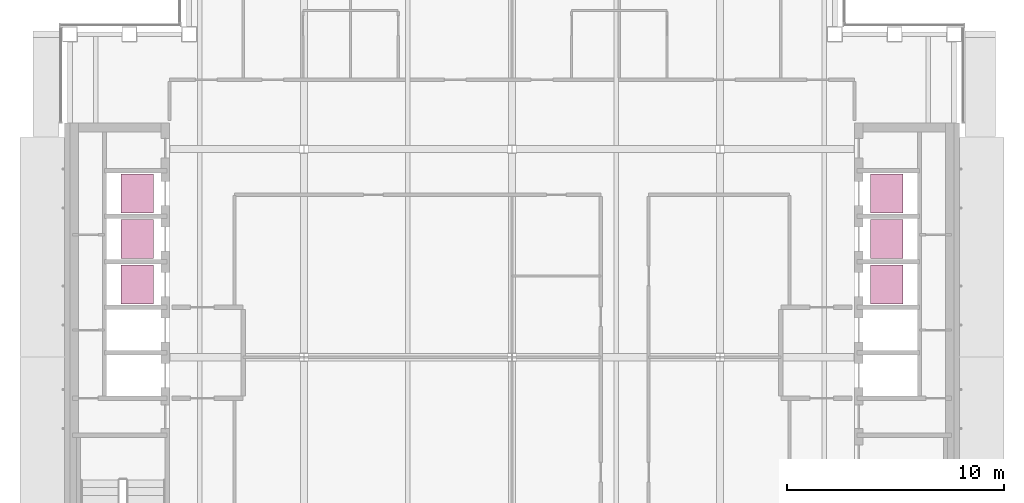
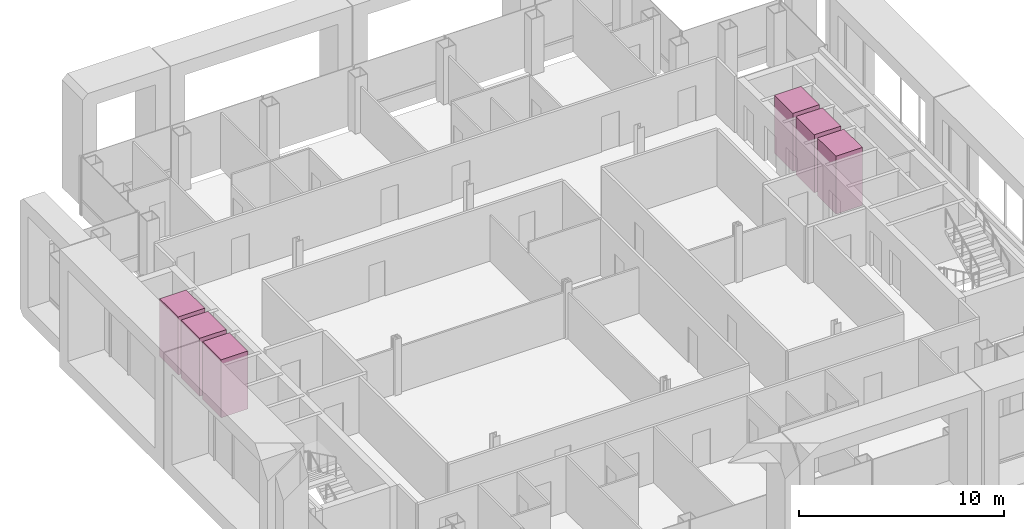
# One storey, part 19 of 19: 6 transport elements.
"""IFC4 building model written with IfcOpenShell, lengths in metres."""

from ifc_helpers import new_model, si_unit, direction, frame, origin, origin_2d, place, context, subcontext, project, spatial, rectangle, extrude, material, type_object, element, save


model = new_model("IFC4")

# Units and contexts
model_context = context("Model", 3, precision=1e-05, world=origin(), true_north=direction((0.0, 1.0)))
body_context = subcontext(model_context, "Body", "Model", "MODEL_VIEW")
ifc_project = project(units=[si_unit("LENGTHUNIT", "METRE"), si_unit("AREAUNIT", "SQUARE_METRE"), si_unit("VOLUMEUNIT", "CUBIC_METRE"), si_unit("PLANEANGLEUNIT", "RADIAN"), si_unit("MASSUNIT", "GRAM", prefix="KILO")], contexts=[model_context])

# Site, building, storey
site_placement = place(None, origin())
site = spatial("IfcSite", under=ifc_project, at=site_placement, CompositionType="ELEMENT")
building_placement = place(site_placement, origin())
building = spatial("IfcBuilding", under=site, at=building_placement, Name="Cobrizo Arcos Hotel Tower", CompositionType="ELEMENT")
storey_placement = place(building_placement, frame((0.0, 0.0, 198.0)))
storey = spatial("IfcBuildingStorey", under=building, at=storey_placement, Name="L51", CompositionType="ELEMENT", Elevation=198.0)

# Transport elements
ifc_material = material(Name="Stainless steel car", Category="steel")
transport_element_type = type_object("IfcTransportElementType", Name="Lift car High 1.8x1.5", PredefinedType="ELEVATOR", material=ifc_material)
for number, where, z_axis, x_axis, name in (
    (1, (-17.300048828125, 3.35009765625, 0.0), (0.0, 0.0, 1.0), (1.0, 0.0, 0.0), "High-rise passenger lift W1"),
    (2, (-17.300048828125, 5.449951171875, 0.0), (0.0, 0.0, 1.0), (1.0, 0.0, 0.0), "High-rise passenger lift W2"),
    (3, (-17.300048828125, 7.550048828125, 0.0), (0.0, 0.0, 1.0), (1.0, 0.0, 0.0), "High-rise passenger lift W3"),
    (4, (17.300048828125, 3.35009765625, 0.0), (0.0, 0.0, 1.0), (1.0, 0.0, 0.0), "High-rise passenger lift E1"),
    (5, (17.300048828125, 5.449951171875, 0.0), (0.0, 0.0, 1.0), (1.0, 0.0, 0.0), "High-rise passenger lift E2"),
    (6, (17.300048828125, 7.550048828125, 0.0), (0.0, 0.0, 1.0), (1.0, 0.0, 0.0), "High-rise passenger lift E3"),
):
    element("IfcTransportElement", number, at=place(storey_placement, frame(where, z_axis=z_axis, x_axis=x_axis)), inside=storey, type_object=transport_element_type, Name=name, PredefinedType="ELEVATOR", context=body_context, shape_type="SweptSolid", body=[
        extrude(rectangle(XDim=1.5, YDim=1.800048828125, at=origin_2d()), origin(), (0.0, 0.0, 1.0), 3.449951171875),
    ])

save(model, "model.ifc")
